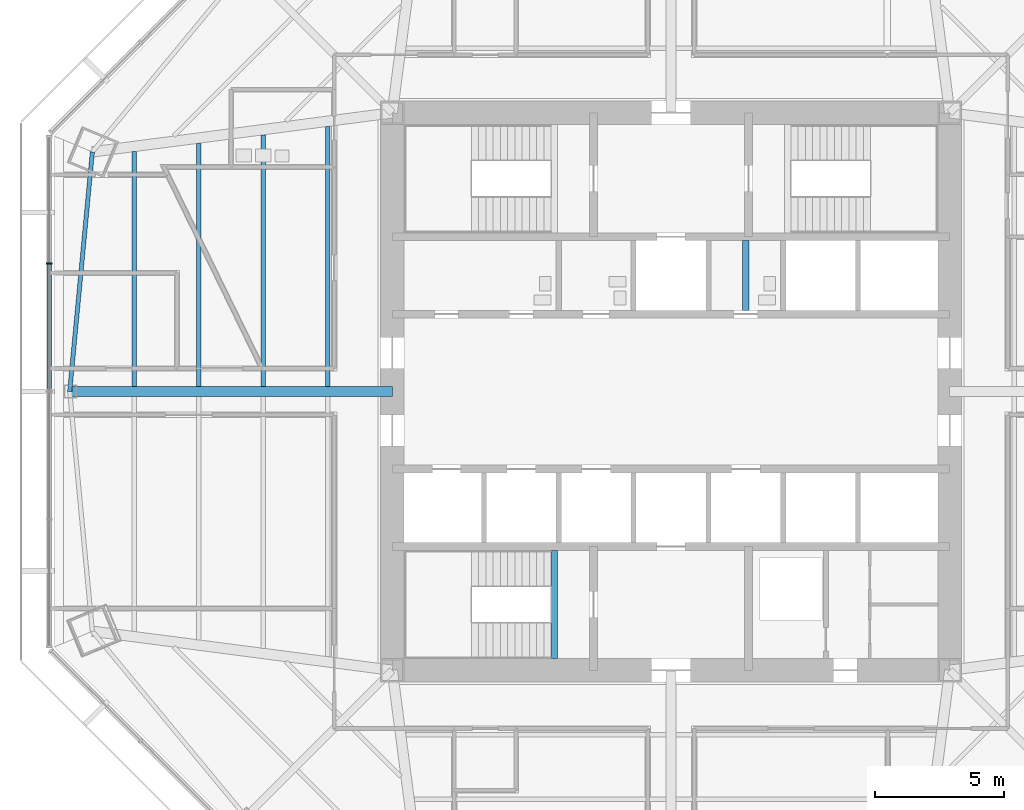
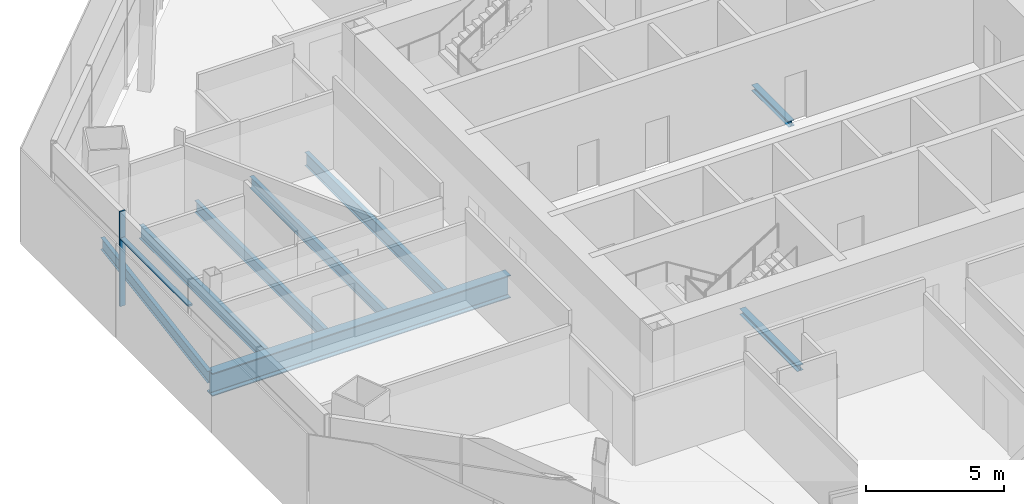
# One storey, part 3 of 14: 8 beams, 2 members, 1 element without a shape of its own.
"""IFC4 building model written with IfcOpenShell, lengths in metres."""

from ifc_helpers import new_model, si_unit, direction, frame, origin, origin_2d, place, context, subcontext, project, spatial, rectangle, i_section, extrude, source, transform, mapped, material, material_profile, profile_set, type_object, type_shapes, element, aggregate, save


model = new_model("IFC4")

# Units and contexts
model_context = context("Model", 3, precision=1e-05, world=origin(), true_north=direction((0.0, 1.0)))
body_context = subcontext(model_context, "Body", "Model", "MODEL_VIEW")
ifc_project = project(units=[si_unit("LENGTHUNIT", "METRE"), si_unit("AREAUNIT", "SQUARE_METRE"), si_unit("VOLUMEUNIT", "CUBIC_METRE"), si_unit("PLANEANGLEUNIT", "RADIAN"), si_unit("MASSUNIT", "GRAM", prefix="KILO")], contexts=[model_context])

# Site, building, storey
site_placement = place(None, origin())
site = spatial("IfcSite", under=ifc_project, at=site_placement, CompositionType="ELEMENT")
building_placement = place(site_placement, origin())
building = spatial("IfcBuilding", under=site, at=building_placement, Name="Mashrafa Tower", CompositionType="ELEMENT")
storey_placement = place(building_placement, frame((0.0, 0.0, 138.60009765625)))
storey = spatial("IfcBuildingStorey", under=building, at=storey_placement, Name="L31", CompositionType="ELEMENT", Elevation=138.60009765625)

# Beams
ifc_material_1 = material(Name="Steel ASTM A992", Category="steel")
ifc_material_profile_1 = material_profile(ifc_material_1, i_section(OverallWidth=0.1650390625, OverallDepth=0.52587890625, WebThickness=0.0087890625, FlangeThickness=0.011474609375, FilletRadius=0.0126953125, at=origin_2d()), Name="W21X44")
ifc_profile_set_1 = profile_set([ifc_material_profile_1], Name="Steel ASTM A992")
beam_type_1 = type_object("IfcBeamType", Name="Beam W21X44", PredefinedType="BEAM", material=ifc_profile_set_1)
beam_1_placement = place(storey_placement, frame((-18.29931640625, 0.20068359375, -0.427978515625), z_axis=(0.0, 1.0, 0.0), x_axis=(-1.0, 0.0, 0.0)))
element("IfcBeam", 1, at=beam_1_placement, inside=storey, type_object=beam_type_1, Name="Floor beam L31 005", PredefinedType="BEAM", context=body_context, shape_type="SweptSolid", body=[
    extrude(i_section(OverallWidth=0.1650390625, OverallDepth=0.52587890625, WebThickness=0.0087890625, FlangeThickness=0.011474609375, FilletRadius=0.0126953125, at=origin_2d()), origin(), (0.0, 0.0, 1.0), 9.42041015625),
])
beam_2_placement = place(storey_placement, frame((-15.79931640625, 0.20068359375, -0.427978515625), z_axis=(0.0, 1.0, 0.0), x_axis=(-1.0, 0.0, 0.0)))
element("IfcBeam", 2, at=beam_2_placement, inside=storey, type_object=beam_type_1, Name="Floor beam L31 007", PredefinedType="BEAM", context=body_context, shape_type="SweptSolid", body=[
    extrude(i_section(OverallWidth=0.1650390625, OverallDepth=0.52587890625, WebThickness=0.0087890625, FlangeThickness=0.011474609375, FilletRadius=0.0126953125, at=origin_2d()), origin(), (0.0, 0.0, 1.0), 9.745849609375),
])
beam_3_placement = place(storey_placement, frame((-22.42041015625, 9.286865234375, -0.427978515625), z_axis=(-0.094140889829, -0.995558884678, 0.0), x_axis=(0.995558884678, -0.094140889829, 0.0)))
element("IfcBeam", 3, at=beam_3_placement, inside=storey, type_object=beam_type_1, Name="Spandrel beam L31 067", PredefinedType="BEAM", context=body_context, shape_type="SweptSolid", body=[
    extrude(i_section(OverallWidth=0.1650390625, OverallDepth=0.52587890625, WebThickness=0.0087890625, FlangeThickness=0.011474609375, FilletRadius=0.0126953125, at=origin_2d()), origin(), (0.0, 0.0, 1.0), 9.328369140625),
])
ifc_material_2 = material(Name="Steel ASTM A992", Category="steel")
ifc_material_profile_2 = material_profile(ifc_material_2, i_section(OverallWidth=0.177978515625, OverallDepth=0.599365234375, WebThickness=0.010009765625, FlangeThickness=0.012939453125, FilletRadius=0.012939453125, at=origin_2d()), Name="W24X55")
ifc_profile_set_2 = profile_set([ifc_material_profile_2], Name="Steel ASTM A992")
beam_type_2 = type_object("IfcBeamType", Name="Beam W24X55", PredefinedType="BEAM", material=ifc_profile_set_2)
beam_4_placement = place(storey_placement, frame((-20.798828125, 0.20068359375, -0.46484375), z_axis=(0.0, 1.0, 0.0), x_axis=(-1.0, 0.0, 0.0)))
element("IfcBeam", 4, at=beam_4_placement, inside=storey, type_object=beam_type_2, Name="Floor beam L31 002", PredefinedType="BEAM", context=body_context, shape_type="SweptSolid", body=[
    extrude(i_section(OverallWidth=0.177978515625, OverallDepth=0.599365234375, WebThickness=0.010009765625, FlangeThickness=0.012939453125, FilletRadius=0.012939453125, at=origin_2d()), origin(), (0.0, 0.0, 1.0), 9.094970703125),
])
beam_5_placement = place(storey_placement, frame((-13.2998046875, 0.20068359375, -0.46484375), z_axis=(0.0, 1.0, 0.0), x_axis=(-1.0, 0.0, 0.0)))
element("IfcBeam", 5, at=beam_5_placement, inside=storey, type_object=beam_type_2, Name="Floor beam L31 012", PredefinedType="BEAM", context=body_context, shape_type="SweptSolid", body=[
    extrude(i_section(OverallWidth=0.177978515625, OverallDepth=0.599365234375, WebThickness=0.010009765625, FlangeThickness=0.012939453125, FilletRadius=0.012939453125, at=origin_2d()), origin(), (0.0, 0.0, 1.0), 10.071533203125),
])
ifc_material_3 = material(Name="Steel ASTM A992", Category="steel")
ifc_material_profile_3 = material_profile(ifc_material_3, i_section(OverallWidth=0.4013671875, OverallDepth=1.010986328125, WebThickness=0.023681640625, FlangeThickness=0.0419921875, FilletRadius=0.02001953125, at=origin_2d()), Name="W40X297")
ifc_profile_set_3 = profile_set([ifc_material_profile_3], Name="Steel ASTM A992")
beam_type_3 = type_object("IfcBeamType", Name="Beam W40X297", PredefinedType="BEAM", material=ifc_profile_set_3)
beam_6_placement = place(storey_placement, frame((-10.800048828125, 0.0, -0.670654296875), z_axis=(-1.0, 0.0, 0.0), x_axis=(0.0, -1.0, 0.0)))
element("IfcBeam", 6, at=beam_6_placement, inside=storey, type_object=beam_type_3, Name="Radial girder L31 052", PredefinedType="BEAM", context=body_context, shape_type="SweptSolid", body=[
    extrude(i_section(OverallWidth=0.4013671875, OverallDepth=1.010986328125, WebThickness=0.023681640625, FlangeThickness=0.0419921875, FilletRadius=0.02001953125, at=origin_2d()), origin(), (0.0, 0.0, 1.0), 12.49853515625),
])
ifc_material_4 = material(Name="Steel ASTM A992", Category="steel")
ifc_material_profile_4 = material_profile(ifc_material_4, i_section(OverallWidth=0.25390625, OverallDepth=0.25390625, WebThickness=0.008544921875, FlangeThickness=0.01416015625, FilletRadius=0.010009765625, at=origin_2d()), Name="W10X49")
ifc_profile_set_4 = profile_set([ifc_material_profile_4], Name="Steel ASTM A992")
beam_type_4 = type_object("IfcBeamType", Name="Hoistway beam W10X49", PredefinedType="BEAM", material=ifc_profile_set_4)
beam_7_placement = place(storey_placement, frame((2.89990234375, 3.14990234375, -0.2919921875), z_axis=(0.0, 1.0, 0.0), x_axis=(-1.0, 0.0, 0.0)))
element("IfcBeam", 7, at=beam_7_placement, inside=storey, type_object=beam_type_4, Name="Hoistway beam L31 06", PredefinedType="BEAM", context=body_context, shape_type="SweptSolid", body=[
    extrude(i_section(OverallWidth=0.25390625, OverallDepth=0.25390625, WebThickness=0.008544921875, FlangeThickness=0.01416015625, FilletRadius=0.010009765625, at=origin_2d()), origin(), (0.0, 0.0, 1.0), 2.7001953125),
])
beam_8_placement = place(storey_placement, frame((-4.530029296875, -10.35009765625, -0.3271484375), z_axis=(0.0, 1.0, 0.0), x_axis=(-1.0, 0.0, 0.0)))
element("IfcBeam", 8, at=beam_8_placement, inside=storey, type_object=beam_type_4, Name="Stair S3 landing beam L31", PredefinedType="BEAM", context=body_context, shape_type="SweptSolid", body=[
    extrude(i_section(OverallWidth=0.25390625, OverallDepth=0.25390625, WebThickness=0.008544921875, FlangeThickness=0.01416015625, FilletRadius=0.010009765625, at=origin_2d()), origin(), (0.0, 0.0, 1.0), 4.2001953125),
])

# Curtain wall, members
ifc_material_5 = material(Name="Unitised aluminium curtain wall", Category="aluminium")
curtain_wall_type = type_object("IfcCurtainWallType", Name="Office curtain wall, zone 2 CW-B 225 deep", PredefinedType="NOTDEFINED", material=ifc_material_5)
curtain_wall_placement = place(storey_placement, origin())
curtain_wall = element("IfcCurtainWall", 9, at=curtain_wall_placement, inside=storey, type_object=curtain_wall_type, Name="Office curtain wall, zone 2 L31 west", PredefinedType="NOTDEFINED")
ifc_material_6 = material(Name="Extruded aluminium mullion", Category="aluminium")
ifc_material_profile_5 = material_profile(ifc_material_6, rectangle(XDim=0.22509765625, YDim=0.06494140625, at=origin_2d()), Name="Mullion 65x225")
ifc_profile_set_5 = profile_set([ifc_material_profile_5], Name="Extruded aluminium mullion")
member_type_1 = type_object("IfcMemberType", Name="Mullion CW-B 65 x 225", PredefinedType="MULLION", material=ifc_profile_set_5)
shared_shape_1 = source(origin(), body_context, "Body", "SweptSolid", [
    extrude(rectangle(XDim=0.22509765625, YDim=0.06494140625, at=origin_2d()), origin(), (0.0, 0.0, 1.0), 4.199951171875),
])
type_shapes(member_type_1, [shared_shape_1])
member_1_placement = place(storey_placement, frame((-24.093994140625, 4.961669921875, 0.0), z_axis=(0.0, 0.0, 1.0), x_axis=(1.0, 0.0, 0.0)))
member_1 = element("IfcMember", 10, at=member_1_placement, type_object=member_type_1, Name="CW-B mullion 2", PredefinedType="MULLION", context=body_context, shape_type="MappedRepresentation", body=[
    mapped(shared_shape_1, transform((0.0, 0.0, 0.0))),
])
ifc_material_7 = material(Name="Extruded aluminium transom", Category="aluminium")
ifc_material_profile_6 = material_profile(ifc_material_7, rectangle(XDim=0.179931640625, YDim=0.080078125, at=origin_2d()), Name="Transom 80x180")
ifc_profile_set_6 = profile_set([ifc_material_profile_6], Name="Extruded aluminium transom")
member_type_2 = type_object("IfcMemberType", Name="Transom CW-B 80 x 180", PredefinedType="MULLION", material=ifc_profile_set_6)
shared_shape_2 = source(origin(), body_context, "Body", "SweptSolid", [
    extrude(rectangle(XDim=0.179931640625, YDim=0.080078125, at=origin_2d()), origin(), (0.0, 0.0, 1.0), 4.896728515625),
])
type_shapes(member_type_2, [shared_shape_2])
member_2_placement = place(storey_placement, frame((-24.093994140625, 4.92919921875, 3.0), z_axis=(0.0, -1.0, 0.0), x_axis=(1.0, 0.0, 0.0)))
member_2 = element("IfcMember", 11, at=member_2_placement, type_object=member_type_2, Name="CW-B transom 2", PredefinedType="MULLION", context=body_context, shape_type="MappedRepresentation", body=[
    mapped(shared_shape_2, transform((0.0, 0.0, 0.0))),
])
aggregate(curtain_wall, [member_1, member_2])

save(model, "model.ifc")
